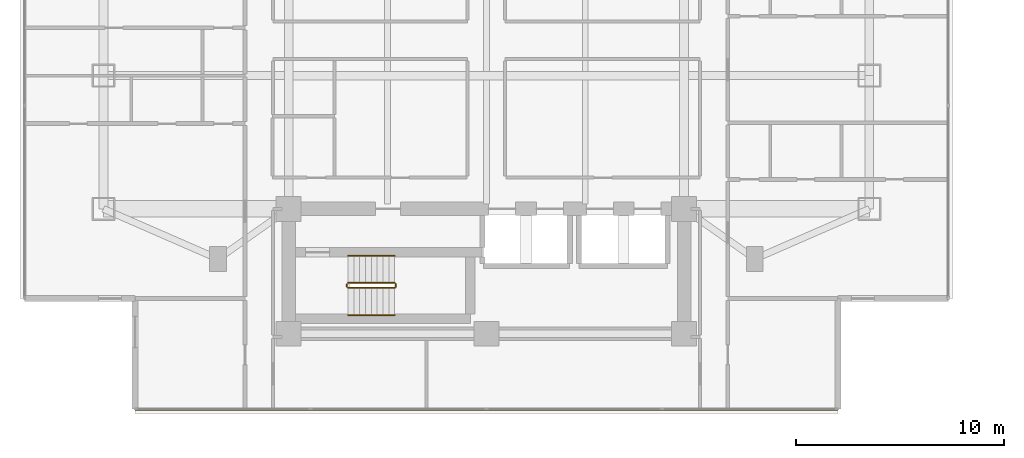
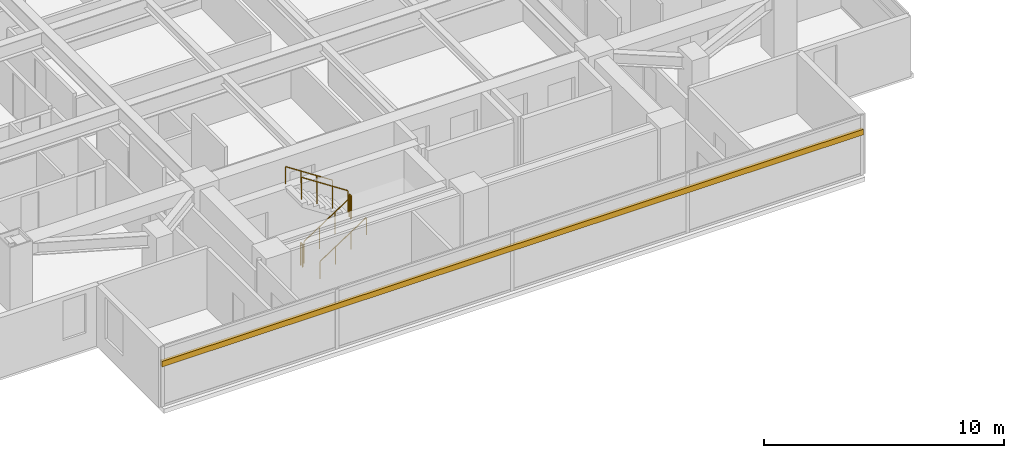
# One storey, part 21 of 25: 6 railings, 1 shading device.
"""IFC4 building model written with IfcOpenShell, lengths in metres."""

from ifc_helpers import new_model, si_unit, direction, frame, origin, origin_2d, place, context, subcontext, project, spatial, rectangle, circle, extrude, material, material_profile, profile_set, type_object, element, save


model = new_model("IFC4")

# Units and contexts
model_context = context("Model", 3, precision=1e-05, world=origin(), true_north=direction((0.0, 1.0)))
body_context = subcontext(model_context, "Body", "Model", "MODEL_VIEW")
ifc_project = project(units=[si_unit("LENGTHUNIT", "METRE"), si_unit("AREAUNIT", "SQUARE_METRE"), si_unit("VOLUMEUNIT", "CUBIC_METRE"), si_unit("PLANEANGLEUNIT", "RADIAN"), si_unit("MASSUNIT", "GRAM", prefix="KILO")], contexts=[model_context])

# Site, building, storey
site_placement = place(None, origin())
site = spatial("IfcSite", under=ifc_project, at=site_placement, CompositionType="ELEMENT")
building_placement = place(site_placement, origin())
building = spatial("IfcBuilding", under=site, at=building_placement, Name="Mirazonda Arch Towers", CompositionType="ELEMENT")
storey_placement = place(building_placement, frame((0.0, 0.0, 111.5)))
storey = spatial("IfcBuildingStorey", under=building, at=storey_placement, Name="L31", CompositionType="ELEMENT", Elevation=111.5)

# Shading device
ifc_material_1 = material(Name="Kiln-Fired Architectural Terracotta", Category="masonry")
ifc_material_profile = material_profile(ifc_material_1, rectangle(XDim=0.139892578125, YDim=0.280029296875, at=origin_2d()), Name="TERRA-BAG-140x280")
ifc_profile_set = profile_set([ifc_material_profile], Name="Kiln-Fired Architectural Terracotta")
shading_device_type = type_object("IfcShadingDeviceType", Name="BAGUETTE-3", PredefinedType="USERDEFINED", material=ifc_profile_set)
shading_device_placement = place(storey_placement, frame((37.385009765625, 8.783935546875, 2.203125), z_axis=(-1.0, 0.0, 0.0), x_axis=(0.0, -1.0, 0.0)))
element("IfcShadingDevice", 1, at=shading_device_placement, inside=storey, type_object=shading_device_type, Name="L31 Glazed Terracotta Sun-Screen Baguette CW-L31-T1-S", ObjectType="BAGUETTE", PredefinedType="USERDEFINED", context=body_context, shape_type="SweptSolid", body=[
    extrude(rectangle(XDim=0.139892578125, YDim=0.280029296875, at=origin_2d()), origin(), (0.0, 0.0, 1.0), 33.77001953125),
])

# Railings
ifc_material_2 = material(Name="Architectural Brushed Steel S355", Category="steel")
railing_type_1 = type_object("IfcRailingType", Name="GUARD-STAIR-1120", PredefinedType="GUARDRAIL", material=ifc_material_2)
railing_1_placement = place(storey_placement, frame((13.85009765625, 14.60009765625, 0.183349609375)))
element("IfcRailing", 2, at=railing_1_placement, inside=storey, type_object=railing_type_1, Name="L31 ST-T1S stair guard 1", PredefinedType="GUARDRAIL", context=body_context, shape_type="SweptSolid", body=[
    extrude(circle(Radius=0.02392578125, at=origin_2d()), frame((0.0, 0.0, 1.1259765625), z_axis=(0.836636935527, 0.0, 0.547757827979), x_axis=(0.0, 1.0, 0.0)), (0.0, 0.0, 1.0), 2.677490234375),
    extrude(circle(Radius=0.02099609375, at=origin_2d()), origin(), (0.0, 0.0, 1.0), 1.101806640625),
    extrude(circle(Radius=0.02099609375, at=origin_2d()), frame((0.74658203125, 0.0, 0.48876953125)), (0.0, 0.0, 1.0), 1.101806640625),
    extrude(circle(Radius=0.02099609375, at=origin_2d()), frame((1.493408203125, 0.0, 0.977783203125)), (0.0, 0.0, 1.0), 1.101806640625),
    extrude(circle(Radius=0.02099609375, at=origin_2d()), frame((2.239990234375, 0.0, 1.466552734375)), (0.0, 0.0, 1.0), 1.101806640625),
])
railing_2_placement = place(storey_placement, frame((16.139892578125, 14.64990234375, 1.64990234375)))
element("IfcRailing", 3, at=railing_2_placement, inside=storey, type_object=railing_type_1, Name="L31 ST-T1S stair guard 2", PredefinedType="GUARDRAIL", context=body_context, shape_type="SweptSolid", body=[
    extrude(circle(Radius=0.02392578125, at=origin_2d()), frame((0.0, 0.0, 1.1259765625), z_axis=(0.0, 1.0, 0.0), x_axis=(-1.0, 0.0, 0.0)), (0.0, 0.0, 1.0), 0.14013671875),
    extrude(circle(Radius=0.02099609375, at=origin_2d()), origin(), (0.0, 0.0, 1.0), 1.101806640625),
    extrude(circle(Radius=0.02099609375, at=origin_2d()), frame((0.0, 0.14013671875, 0.0)), (0.0, 0.0, 1.0), 1.101806640625),
])
railing_3_placement = place(storey_placement, frame((16.090087890625, 14.840087890625, 1.833251953125)))
element("IfcRailing", 4, at=railing_3_placement, inside=storey, type_object=railing_type_1, Name="L31 ST-T1S stair guard 3", PredefinedType="GUARDRAIL", context=body_context, shape_type="SweptSolid", body=[
    extrude(circle(Radius=0.02392578125, at=origin_2d()), frame((0.0, 0.0, 1.1259765625), z_axis=(-0.836595146698, 0.0, 0.547821650285), x_axis=(0.0, -1.0, 0.0)), (0.0, 0.0, 1.0), 2.677490234375),
    extrude(circle(Radius=0.02099609375, at=origin_2d()), origin(), (0.0, 0.0, 1.0), 1.101806640625),
    extrude(circle(Radius=0.02099609375, at=origin_2d()), frame((-0.74658203125, 0.0, 0.489013671875)), (0.0, 0.0, 1.0), 1.101806640625),
    extrude(circle(Radius=0.02099609375, at=origin_2d()), frame((-1.493408203125, 0.0, 0.977783203125)), (0.0, 0.0, 1.0), 1.101806640625),
    extrude(circle(Radius=0.02099609375, at=origin_2d()), frame((-2.239990234375, 0.0, 1.466796875)), (0.0, 0.0, 1.0), 1.101806640625),
])
railing_4_placement = place(storey_placement, frame((13.800048828125, 14.64990234375, 0.0)))
element("IfcRailing", 5, at=railing_4_placement, inside=storey, type_object=railing_type_1, Name="L31 ST-T1S stair guard 4", PredefinedType="GUARDRAIL", context=body_context, shape_type="SweptSolid", body=[
    extrude(circle(Radius=0.02392578125, at=origin_2d()), frame((0.0, 0.0, 1.1259765625), z_axis=(0.0, 1.0, 0.0), x_axis=(-1.0, 0.0, 0.0)), (0.0, 0.0, 1.0), 0.14013671875),
    extrude(circle(Radius=0.02099609375, at=origin_2d()), origin(), (0.0, 0.0, 1.0), 1.101806640625),
    extrude(circle(Radius=0.02099609375, at=origin_2d()), frame((0.0, 0.14013671875, 0.0)), (0.0, 0.0, 1.0), 1.101806640625),
])
railing_type_2 = type_object("IfcRailingType", Name="HANDRAIL-915", PredefinedType="HANDRAIL", material=ifc_material_2)
railing_5_placement = place(storey_placement, frame((13.85009765625, 13.300048828125, 0.183349609375)))
element("IfcRailing", 6, at=railing_5_placement, inside=storey, type_object=railing_type_2, Name="L31 ST-T1S stair handrail 1", PredefinedType="HANDRAIL", context=body_context, shape_type="SweptSolid", body=[
    extrude(circle(Radius=0.02392578125, at=origin_2d()), frame((0.0, 0.0, 0.8759765625), z_axis=(0.836636935527, 0.0, 0.547757827979), x_axis=(0.0, 1.0, 0.0)), (0.0, 0.0, 1.0), 2.677490234375),
    extrude(circle(Radius=0.02099609375, at=origin_2d()), origin(), (0.0, 0.0, 1.0), 0.851806640625),
    extrude(circle(Radius=0.02099609375, at=origin_2d()), frame((0.74658203125, 0.0, 0.48876953125)), (0.0, 0.0, 1.0), 0.851806640625),
    extrude(circle(Radius=0.02099609375, at=origin_2d()), frame((1.493408203125, 0.0, 0.977783203125)), (0.0, 0.0, 1.0), 0.851806640625),
    extrude(circle(Radius=0.02099609375, at=origin_2d()), frame((2.239990234375, 0.0, 1.466552734375)), (0.0, 0.0, 1.0), 0.851806640625),
])
railing_6_placement = place(storey_placement, frame((16.090087890625, 16.139892578125, 1.833251953125)))
element("IfcRailing", 7, at=railing_6_placement, inside=storey, type_object=railing_type_2, Name="L31 ST-T1S stair handrail 2", PredefinedType="HANDRAIL", context=body_context, shape_type="SweptSolid", body=[
    extrude(circle(Radius=0.02392578125, at=origin_2d()), frame((0.0, 0.0, 0.8759765625), z_axis=(-0.836595146698, 0.0, 0.547821650285), x_axis=(0.0, -1.0, 0.0)), (0.0, 0.0, 1.0), 2.677490234375),
    extrude(circle(Radius=0.02099609375, at=origin_2d()), origin(), (0.0, 0.0, 1.0), 0.851806640625),
    extrude(circle(Radius=0.02099609375, at=origin_2d()), frame((-0.74658203125, 0.0, 0.489013671875)), (0.0, 0.0, 1.0), 0.851806640625),
    extrude(circle(Radius=0.02099609375, at=origin_2d()), frame((-1.493408203125, 0.0, 0.977783203125)), (0.0, 0.0, 1.0), 0.851806640625),
    extrude(circle(Radius=0.02099609375, at=origin_2d()), frame((-2.239990234375, 0.0, 1.466796875)), (0.0, 0.0, 1.0), 0.851806640625),
])

save(model, "model.ifc")
